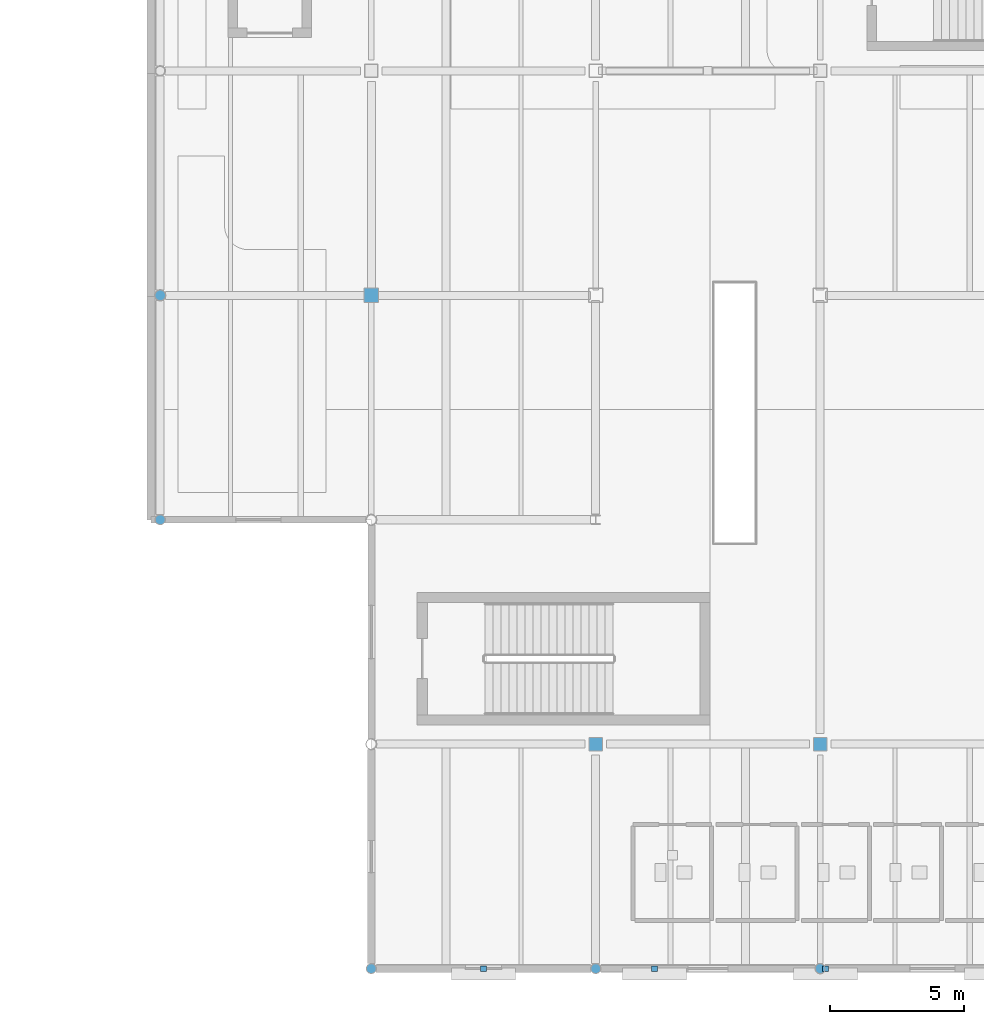
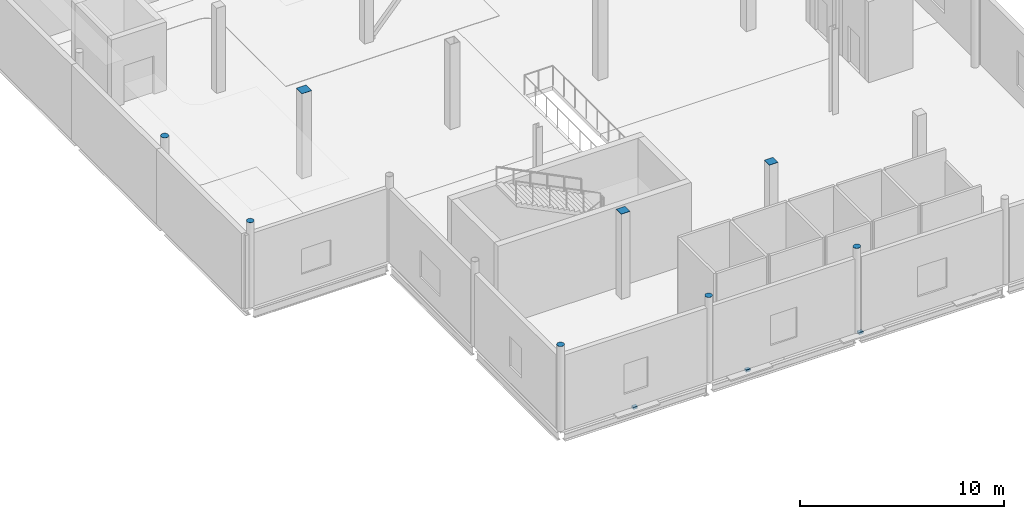
# One storey, part 78 of 104: 11 discrete accessories.
"""IFC4 building model written with IfcOpenShell, lengths in metres."""

from ifc_helpers import new_model, si_unit, direction, frame, origin, origin_2d, place, context, subcontext, project, spatial, rectangle, circle, extrude, material, type_object, element, save


model = new_model("IFC4")

# Units and contexts
model_context = context("Model", 3, precision=1e-05, world=origin(), true_north=direction((0.0, 1.0)))
body_context = subcontext(model_context, "Body", "Model", "MODEL_VIEW")
ifc_project = project(units=[si_unit("LENGTHUNIT", "METRE"), si_unit("AREAUNIT", "SQUARE_METRE"), si_unit("VOLUMEUNIT", "CUBIC_METRE"), si_unit("PLANEANGLEUNIT", "RADIAN"), si_unit("MASSUNIT", "GRAM", prefix="KILO"), si_unit("THERMODYNAMICTEMPERATUREUNIT", "KELVIN")], contexts=[model_context])

# Site, building, storey
site_placement = place(None, origin())
site = spatial("IfcSite", under=ifc_project, at=site_placement, CompositionType="ELEMENT")
building_placement = place(site_placement, origin())
building = spatial("IfcBuilding", under=site, at=building_placement, Name="Lustrewick Department Store", CompositionType="ELEMENT")
storey_placement = place(building_placement, frame((0.0, 0.0, 11.39990234375)))
storey = spatial("IfcBuildingStorey", under=building, at=storey_placement, Name="L03", CompositionType="ELEMENT", Elevation=11.39990234375)

# Discrete accessories
ifc_material_1 = material(Name="Anodized filigree aluminium 6061-T6", Category="aluminium")
discrete_accessory_type_1 = type_object("IfcDiscreteAccessoryType", Name="BRK-FIL", PredefinedType="BRACKET", material=ifc_material_1)
for number, where, z_axis, x_axis, name in (
    (1, (121.800048828125, 8.39990234375, -0.18994140625), (0.0, 0.0, 1.0), (1.0, 0.0, 0.0), "L03 Sun Louvre Bracket 05"),
    (2, (128.199951171875, 8.39990234375, -0.18994140625), (0.0, 0.0, 1.0), (1.0, 0.0, 0.0), "L03 Sun Louvre Bracket 06"),
    (3, (134.60009765625, 8.39990234375, -0.18994140625), (0.0, 0.0, 1.0), (1.0, 0.0, 0.0), "L03 Sun Louvre Bracket 07"),
):
    element("IfcDiscreteAccessory", number, at=place(storey_placement, frame(where, z_axis=z_axis, x_axis=x_axis)), inside=storey, type_object=discrete_accessory_type_1, Name=name, PredefinedType="BRACKET", context=body_context, shape_type="SweptSolid", body=[
        extrude(rectangle(XDim=0.239990234375, YDim=0.199951171875, at=origin_2d()), origin(), (0.0, 0.0, 1.0), 0.139892578125),
    ])
ifc_material_2 = material(Name="Structural steel Q355C", Category="steel")
discrete_accessory_type_2 = type_object("IfcDiscreteAccessoryType", Name="ECP-01", PredefinedType="USERDEFINED", material=ifc_material_2)
discrete_accessory_1_placement = place(storey_placement, frame((126.0, 16.800048828125, 5.093994140625), z_axis=(0.0, 0.0, 1.0), x_axis=(1.0, 0.0, 0.0)))
element("IfcDiscreteAccessory", 4, at=discrete_accessory_1_placement, inside=storey, type_object=discrete_accessory_type_2, Name="L03 Welded Hollow-Section End-Cap Plate ECP-01", ObjectType="END_CAP_PLATE", PredefinedType="USERDEFINED", context=body_context, shape_type="SweptSolid", body=[
    extrude(rectangle(XDim=0.5, YDim=0.5, at=origin_2d()), origin(), (0.0, 0.0, 1.0), 0.01611328125),
])
discrete_accessory_2_placement = place(storey_placement, frame((109.699951171875, 33.60009765625, 5.093994140625), z_axis=(0.0, 0.0, 1.0), x_axis=(1.0, 0.0, 0.0)))
element("IfcDiscreteAccessory", 5, at=discrete_accessory_2_placement, inside=storey, type_object=discrete_accessory_type_2, Name="L03 Welded Hollow-Section End-Cap Plate ECP-01", ObjectType="END_CAP_PLATE", PredefinedType="USERDEFINED", context=body_context, shape_type="SweptSolid", body=[
    extrude(circle(Radius=0.202880859375, at=origin_2d()), origin(), (0.0, 0.0, 1.0), 0.01611328125),
])
discrete_accessory_3_placement = place(storey_placement, frame((134.39990234375, 16.800048828125, 5.093994140625), z_axis=(0.0, 0.0, 1.0), x_axis=(1.0, 0.0, 0.0)))
element("IfcDiscreteAccessory", 6, at=discrete_accessory_3_placement, inside=storey, type_object=discrete_accessory_type_2, Name="L03 Welded Hollow-Section End-Cap Plate ECP-01", ObjectType="END_CAP_PLATE", PredefinedType="USERDEFINED", context=body_context, shape_type="SweptSolid", body=[
    extrude(rectangle(XDim=0.5, YDim=0.5, at=origin_2d()), origin(), (0.0, 0.0, 1.0), 0.01611328125),
])
for number, where, z_axis, x_axis, name in (
    (7, (134.39990234375, 8.39990234375, 5.093994140625), (0.0, 0.0, 1.0), (1.0, 0.0, 0.0), "L03 Welded Hollow-Section End-Cap Plate ECP-01"),
    (8, (109.699951171875, 25.199951171875, 5.093994140625), (0.0, 0.0, 1.0), (1.0, 0.0, 0.0), "L03 Welded Hollow-Section End-Cap Plate ECP-01"),
):
    element("IfcDiscreteAccessory", number, at=place(storey_placement, frame(where, z_axis=z_axis, x_axis=x_axis)), inside=storey, type_object=discrete_accessory_type_2, Name=name, ObjectType="END_CAP_PLATE", PredefinedType="USERDEFINED", context=body_context, shape_type="SweptSolid", body=[
        extrude(circle(Radius=0.1884765625, at=origin_2d()), origin(), (0.0, 0.0, 1.0), 0.01611328125),
    ])
discrete_accessory_4_placement = place(storey_placement, frame((117.60009765625, 33.60009765625, 5.093994140625), z_axis=(0.0, 0.0, 1.0), x_axis=(1.0, 0.0, 0.0)))
element("IfcDiscreteAccessory", 9, at=discrete_accessory_4_placement, inside=storey, type_object=discrete_accessory_type_2, Name="L03 Welded Hollow-Section End-Cap Plate ECP-01", ObjectType="END_CAP_PLATE", PredefinedType="USERDEFINED", context=body_context, shape_type="SweptSolid", body=[
    extrude(rectangle(XDim=0.550048828125, YDim=0.550048828125, at=origin_2d()), origin(), (0.0, 0.0, 1.0), 0.01611328125),
])
for number, where, z_axis, x_axis, name in (
    (10, (117.60009765625, 8.39990234375, 5.093994140625), (0.0, 0.0, 1.0), (1.0, 0.0, 0.0), "L03 Welded Hollow-Section End-Cap Plate ECP-01"),
    (11, (126.0, 8.39990234375, 5.093994140625), (0.0, 0.0, 1.0), (1.0, 0.0, 0.0), "L03 Welded Hollow-Section End-Cap Plate ECP-01"),
):
    element("IfcDiscreteAccessory", number, at=place(storey_placement, frame(where, z_axis=z_axis, x_axis=x_axis)), inside=storey, type_object=discrete_accessory_type_2, Name=name, ObjectType="END_CAP_PLATE", PredefinedType="USERDEFINED", context=body_context, shape_type="SweptSolid", body=[
        extrude(circle(Radius=0.1884765625, at=origin_2d()), origin(), (0.0, 0.0, 1.0), 0.01611328125),
    ])

save(model, "model.ifc")
